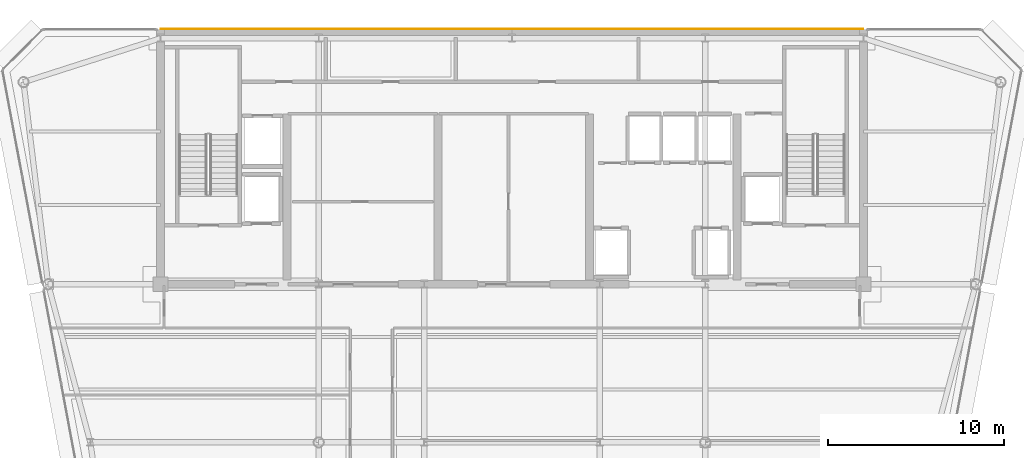
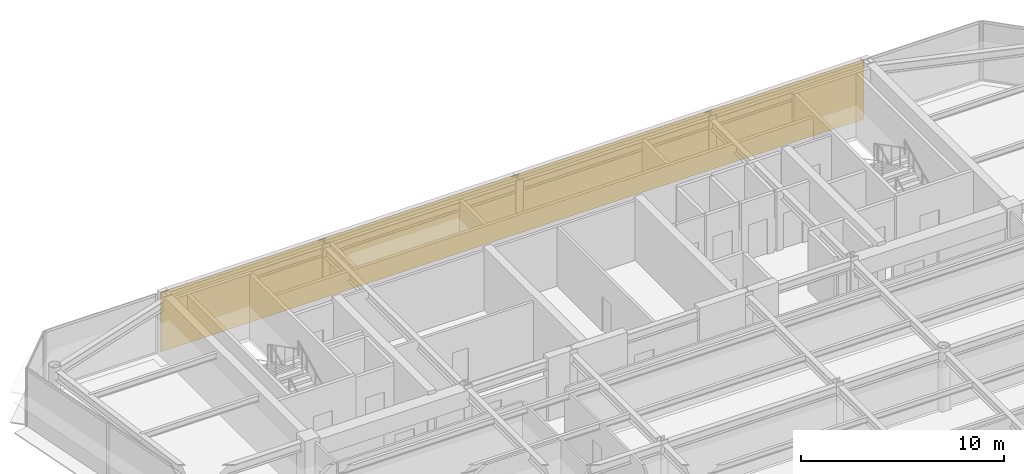
# One storey, part 19 of 20: 1 covering.
"""IFC4 building model written with IfcOpenShell, lengths in metres."""

from ifc_helpers import new_model, si_unit, direction, frame, origin, place, context, subcontext, project, spatial, polyline, outline, extrude, material, layer, layer_set, type_object, element, save


model = new_model("IFC4")

# Units and contexts
model_context = context("Model", 3, precision=1e-05, world=origin(), true_north=direction((0.0, 1.0)))
body_context = subcontext(model_context, "Body", "Model", "MODEL_VIEW")
ifc_project = project(units=[si_unit("LENGTHUNIT", "METRE"), si_unit("AREAUNIT", "SQUARE_METRE"), si_unit("VOLUMEUNIT", "CUBIC_METRE"), si_unit("PLANEANGLEUNIT", "RADIAN"), si_unit("MASSUNIT", "GRAM", prefix="KILO")], contexts=[model_context])

# Site, building, storey
site_placement = place(None, origin())
site = spatial("IfcSite", under=ifc_project, at=site_placement, CompositionType="ELEMENT")
building_placement = place(site_placement, origin())
building = spatial("IfcBuilding", under=site, at=building_placement, Name="Vaeldorn Concourse Tower", CompositionType="ELEMENT")
storey_placement = place(building_placement, frame((0.0, 0.0, 268.800048828125)))
storey = spatial("IfcBuildingStorey", under=building, at=storey_placement, Name="L69", CompositionType="ELEMENT", Elevation=268.800048828125)

# Covering
ifc_material = material(Name="Anodised Bronze Aluminium", Category="aluminium")
ifc_layer = layer(ifc_material, 0.050048828125)
ifc_layer_set = layer_set([ifc_layer], Name="Anodised Bronze Aluminium")
covering_type = type_object("IfcCoveringType", Name="COV-CLAD-BRONZE", PredefinedType="CLADDING", material=ifc_layer_set)
covering_placement = place(storey_placement, origin())
element("IfcCovering", 1, at=covering_placement, inside=storey, type_object=covering_type, Name="Rear Core Bronze Spandrel Cladding L69", PredefinedType="CLADDING", context=body_context, shape_type="SweptSolid", body=[
    extrude(outline(polyline([(14.0, 51.0), (54.0, 51.0), (54.0, 51.050048828125), (14.0, 51.050048828125), (14.0, 51.0)])), origin(), (0.0, 0.0, 1.0), 3.579833984375),
])

save(model, "model.ifc")
